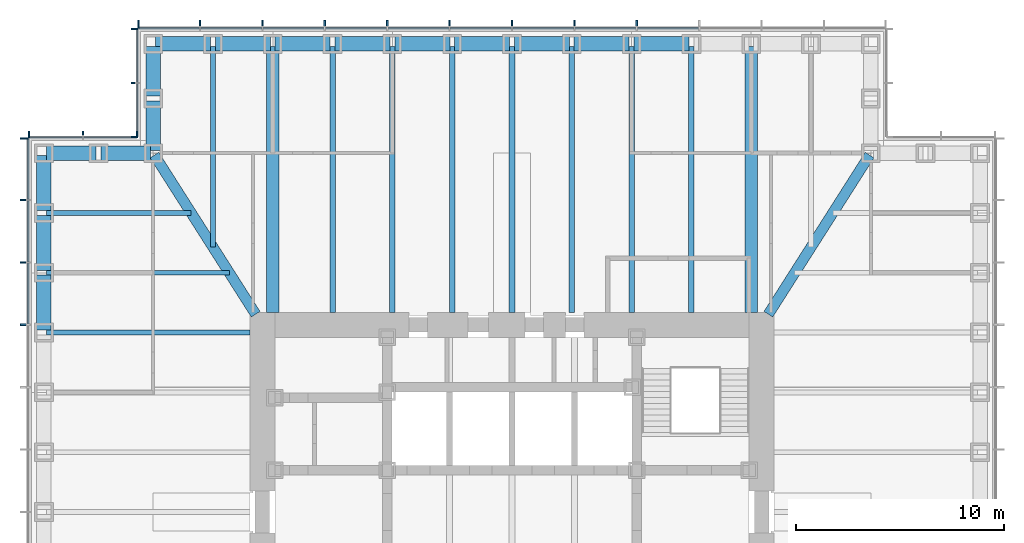
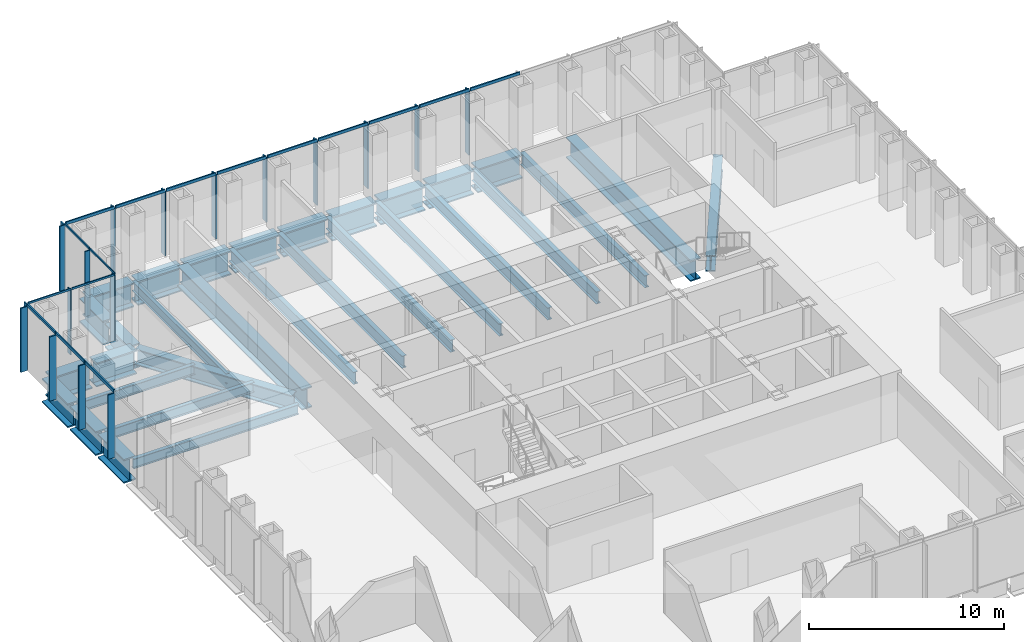
# One storey, part 5 of 17: 35 members, 31 beams, 4 elements without a shape of their own.
"""IFC4 building model written with IfcOpenShell, lengths in metres."""

from ifc_helpers import new_model, si_unit, direction, frame, origin, origin_2d, place, context, subcontext, project, spatial, rectangle, i_section, extrude, material, material_profile, profile_set, type_object, element, aggregate, save


model = new_model("IFC4")

# Units and contexts
model_context = context("Model", 3, precision=1e-05, world=origin(), true_north=direction((0.0, 1.0)))
body_context = subcontext(model_context, "Body", "Model", "MODEL_VIEW")
ifc_project = project(units=[si_unit("LENGTHUNIT", "METRE"), si_unit("AREAUNIT", "SQUARE_METRE"), si_unit("VOLUMEUNIT", "CUBIC_METRE"), si_unit("PLANEANGLEUNIT", "RADIAN"), si_unit("MASSUNIT", "GRAM", prefix="KILO")], contexts=[model_context])

# Site, building, storey
site_placement = place(None, origin())
site = spatial("IfcSite", under=ifc_project, at=site_placement, CompositionType="ELEMENT")
building_placement = place(site_placement, origin())
building = spatial("IfcBuilding", under=site, at=building_placement, Name="Daluyong Arena Tower", CompositionType="ELEMENT")
storey_placement = place(building_placement, frame((0.0, 0.0, 150.10009765625)))
storey = spatial("IfcBuildingStorey", under=building, at=storey_placement, Name="L33", CompositionType="ELEMENT", Elevation=150.10009765625)

# Curtain wall, members
ifc_material_1 = material(Name="Bronze anodised aluminium and glass", Category="aluminium")
curtain_wall_type_1 = type_object("IfcCurtainWallType", Name="Curtain wall CW2", PredefinedType="USERDEFINED", material=ifc_material_1)
curtain_wall_1_placement = place(storey_placement, origin())
curtain_wall_1 = element("IfcCurtainWall", 1, at=curtain_wall_1_placement, inside=storey, type_object=curtain_wall_type_1, Name="curtain wall L33 N", ObjectType="UNITISED CURTAIN WALL", PredefinedType="USERDEFINED")
ifc_material_2 = material(Name="Bronze anodised aluminium fin", Category="aluminium")
ifc_material_profile_1 = material_profile(ifc_material_2, rectangle(XDim=0.39990234375, YDim=0.080078125, at=origin_2d()))
ifc_profile_set_1 = profile_set([ifc_material_profile_1], Name="Bronze anodised aluminium fin")
member_type_1 = type_object("IfcMemberType", Name="CW2 bronze fin 400x80", PredefinedType="MULLION", material=ifc_profile_set_1)
member_1_placement = place(storey_placement, frame((62.0, 103.449951171875, 0.0), z_axis=(0.0, 0.0, 1.0), x_axis=(0.0, -1.0, 0.0)))
member_1 = element("IfcMember", 2, at=member_1_placement, type_object=member_type_1, Name="curtain wall L33 N fin 5", PredefinedType="MULLION", context=body_context, shape_type="SweptSolid", body=[
    extrude(rectangle(XDim=0.39990234375, YDim=0.080078125, at=origin_2d()), origin(), (0.0, 0.0, 1.0), 4.02001953125),
])
member_2_placement = place(storey_placement, frame((59.0, 103.449951171875, 0.0), z_axis=(0.0, 0.0, 1.0), x_axis=(0.0, -1.0, 0.0)))
member_2 = element("IfcMember", 3, at=member_2_placement, type_object=member_type_1, Name="curtain wall L33 N fin 6", PredefinedType="MULLION", context=body_context, shape_type="SweptSolid", body=[
    extrude(rectangle(XDim=0.39990234375, YDim=0.080078125, at=origin_2d()), origin(), (0.0, 0.0, 1.0), 4.02001953125),
])
member_3_placement = place(storey_placement, frame((56.0, 103.449951171875, 0.0), z_axis=(0.0, 0.0, 1.0), x_axis=(0.0, -1.0, 0.0)))
member_3 = element("IfcMember", 4, at=member_3_placement, type_object=member_type_1, Name="curtain wall L33 N fin 7", PredefinedType="MULLION", context=body_context, shape_type="SweptSolid", body=[
    extrude(rectangle(XDim=0.39990234375, YDim=0.080078125, at=origin_2d()), origin(), (0.0, 0.0, 1.0), 4.02001953125),
])
member_4_placement = place(storey_placement, frame((53.0, 103.449951171875, 0.0), z_axis=(0.0, 0.0, 1.0), x_axis=(0.0, -1.0, 0.0)))
member_4 = element("IfcMember", 5, at=member_4_placement, type_object=member_type_1, Name="curtain wall L33 N fin 8", PredefinedType="MULLION", context=body_context, shape_type="SweptSolid", body=[
    extrude(rectangle(XDim=0.39990234375, YDim=0.080078125, at=origin_2d()), origin(), (0.0, 0.0, 1.0), 4.02001953125),
])
member_5_placement = place(storey_placement, frame((50.0, 103.449951171875, 0.0), z_axis=(0.0, 0.0, 1.0), x_axis=(0.0, -1.0, 0.0)))
member_5 = element("IfcMember", 6, at=member_5_placement, type_object=member_type_1, Name="curtain wall L33 N fin 9", PredefinedType="MULLION", context=body_context, shape_type="SweptSolid", body=[
    extrude(rectangle(XDim=0.39990234375, YDim=0.080078125, at=origin_2d()), origin(), (0.0, 0.0, 1.0), 4.02001953125),
])
member_6_placement = place(storey_placement, frame((47.0, 103.449951171875, 0.0), z_axis=(0.0, 0.0, 1.0), x_axis=(0.0, -1.0, 0.0)))
member_6 = element("IfcMember", 7, at=member_6_placement, type_object=member_type_1, Name="curtain wall L33 N fin 10", PredefinedType="MULLION", context=body_context, shape_type="SweptSolid", body=[
    extrude(rectangle(XDim=0.39990234375, YDim=0.080078125, at=origin_2d()), origin(), (0.0, 0.0, 1.0), 4.02001953125),
])
member_7_placement = place(storey_placement, frame((44.0, 103.449951171875, 0.0), z_axis=(0.0, 0.0, 1.0), x_axis=(0.0, -1.0, 0.0)))
member_7 = element("IfcMember", 8, at=member_7_placement, type_object=member_type_1, Name="curtain wall L33 N fin 11", PredefinedType="MULLION", context=body_context, shape_type="SweptSolid", body=[
    extrude(rectangle(XDim=0.39990234375, YDim=0.080078125, at=origin_2d()), origin(), (0.0, 0.0, 1.0), 4.02001953125),
])
member_8_placement = place(storey_placement, frame((41.0, 103.449951171875, 0.0), z_axis=(0.0, 0.0, 1.0), x_axis=(0.0, -1.0, 0.0)))
member_8 = element("IfcMember", 9, at=member_8_placement, type_object=member_type_1, Name="curtain wall L33 N fin 12", PredefinedType="MULLION", context=body_context, shape_type="SweptSolid", body=[
    extrude(rectangle(XDim=0.39990234375, YDim=0.080078125, at=origin_2d()), origin(), (0.0, 0.0, 1.0), 4.02001953125),
])
member_9_placement = place(storey_placement, frame((38.0400390625, 103.449951171875, 0.0), z_axis=(0.0, 0.0, 1.0), x_axis=(0.0, -1.0, 0.0)))
member_9 = element("IfcMember", 10, at=member_9_placement, type_object=member_type_1, Name="curtain wall L33 N fin 13", PredefinedType="MULLION", context=body_context, shape_type="SweptSolid", body=[
    extrude(rectangle(XDim=0.39990234375, YDim=0.080078125, at=origin_2d()), origin(), (0.0, 0.0, 1.0), 4.02001953125),
])

curtain_wall_2_placement = place(storey_placement, origin())
curtain_wall_2 = element("IfcCurtainWall", 11, at=curtain_wall_2_placement, inside=storey, type_object=curtain_wall_type_1, Name="curtain wall L33 W", ObjectType="UNITISED CURTAIN WALL", PredefinedType="USERDEFINED")
member_10_placement = place(storey_placement, frame((32.550048828125, 97.9599609375, 0.0), z_axis=(0.0, 0.0, 1.0), x_axis=(1.0, 0.0, 0.0)))
member_10 = element("IfcMember", 12, at=member_10_placement, type_object=member_type_1, Name="curtain wall L33 W fin 1", PredefinedType="MULLION", context=body_context, shape_type="SweptSolid", body=[
    extrude(rectangle(XDim=0.39990234375, YDim=0.080078125, at=origin_2d()), origin(), (0.0, 0.0, 1.0), 4.02001953125),
])
member_11_placement = place(storey_placement, frame((32.550048828125, 95.0, 0.0), z_axis=(0.0, 0.0, 1.0), x_axis=(1.0, 0.0, 0.0)))
member_11 = element("IfcMember", 13, at=member_11_placement, type_object=member_type_1, Name="curtain wall L33 W fin 2", PredefinedType="MULLION", context=body_context, shape_type="SweptSolid", body=[
    extrude(rectangle(XDim=0.39990234375, YDim=0.080078125, at=origin_2d()), origin(), (0.0, 0.0, 1.0), 4.02001953125),
])
member_12_placement = place(storey_placement, frame((32.550048828125, 92.0, 0.0), z_axis=(0.0, 0.0, 1.0), x_axis=(1.0, 0.0, 0.0)))
member_12 = element("IfcMember", 14, at=member_12_placement, type_object=member_type_1, Name="curtain wall L33 W fin 3", PredefinedType="MULLION", context=body_context, shape_type="SweptSolid", body=[
    extrude(rectangle(XDim=0.39990234375, YDim=0.080078125, at=origin_2d()), origin(), (0.0, 0.0, 1.0), 4.02001953125),
])
member_13_placement = place(storey_placement, frame((32.550048828125, 89.0, 0.0), z_axis=(0.0, 0.0, 1.0), x_axis=(1.0, 0.0, 0.0)))
member_13 = element("IfcMember", 15, at=member_13_placement, type_object=member_type_1, Name="curtain wall L33 W fin 4", PredefinedType="MULLION", context=body_context, shape_type="SweptSolid", body=[
    extrude(rectangle(XDim=0.39990234375, YDim=0.080078125, at=origin_2d()), origin(), (0.0, 0.0, 1.0), 4.02001953125),
])

# Member
ifc_material_3 = material(Name="Bronze anodised aluminium", Category="aluminium")
ifc_material_profile_2 = material_profile(ifc_material_3, rectangle(XDim=0.080078125, YDim=0.179931640625, at=origin_2d()))
ifc_profile_set_2 = profile_set([ifc_material_profile_2], Name="Bronze anodised aluminium")
member_type_2 = type_object("IfcMemberType", Name="CW2 stack transom 180x80", PredefinedType="USERDEFINED", material=ifc_profile_set_2)
member_14_placement = place(storey_placement, frame((64.9599609375, 103.25, 4.10986328125), z_axis=(-1.0, 0.0, 0.0), x_axis=(0.0, -1.0, 0.0)))
member_14 = element("IfcMember", 16, at=member_14_placement, type_object=member_type_2, Name="curtain wall L33 N transom 4", ObjectType="TRANSOM", PredefinedType="USERDEFINED", context=body_context, shape_type="SweptSolid", body=[
    extrude(rectangle(XDim=0.080078125, YDim=0.179931640625, at=origin_2d()), origin(), (0.0, 0.0, 1.0), 2.919921875),
])

member_15_placement = place(storey_placement, frame((61.9599609375, 103.25, 4.10986328125), z_axis=(-1.0, 0.0, 0.0), x_axis=(0.0, -1.0, 0.0)))
member_15 = element("IfcMember", 17, at=member_15_placement, type_object=member_type_2, Name="curtain wall L33 N transom 5", ObjectType="TRANSOM", PredefinedType="USERDEFINED", context=body_context, shape_type="SweptSolid", body=[
    extrude(rectangle(XDim=0.080078125, YDim=0.179931640625, at=origin_2d()), origin(), (0.0, 0.0, 1.0), 2.919921875),
])

member_16_placement = place(storey_placement, frame((58.9599609375, 103.25, 4.10986328125), z_axis=(-1.0, 0.0, 0.0), x_axis=(0.0, -1.0, 0.0)))
member_16 = element("IfcMember", 18, at=member_16_placement, type_object=member_type_2, Name="curtain wall L33 N transom 6", ObjectType="TRANSOM", PredefinedType="USERDEFINED", context=body_context, shape_type="SweptSolid", body=[
    extrude(rectangle(XDim=0.080078125, YDim=0.179931640625, at=origin_2d()), origin(), (0.0, 0.0, 1.0), 2.919921875),
])

member_17_placement = place(storey_placement, frame((55.9599609375, 103.25, 4.10986328125), z_axis=(-1.0, 0.0, 0.0), x_axis=(0.0, -1.0, 0.0)))
member_17 = element("IfcMember", 19, at=member_17_placement, type_object=member_type_2, Name="curtain wall L33 N transom 7", ObjectType="TRANSOM", PredefinedType="USERDEFINED", context=body_context, shape_type="SweptSolid", body=[
    extrude(rectangle(XDim=0.080078125, YDim=0.179931640625, at=origin_2d()), origin(), (0.0, 0.0, 1.0), 2.919921875),
])

member_18_placement = place(storey_placement, frame((52.9599609375, 103.25, 4.10986328125), z_axis=(-1.0, 0.0, 0.0), x_axis=(0.0, -1.0, 0.0)))
member_18 = element("IfcMember", 20, at=member_18_placement, type_object=member_type_2, Name="curtain wall L33 N transom 8", ObjectType="TRANSOM", PredefinedType="USERDEFINED", context=body_context, shape_type="SweptSolid", body=[
    extrude(rectangle(XDim=0.080078125, YDim=0.179931640625, at=origin_2d()), origin(), (0.0, 0.0, 1.0), 2.919921875),
])

member_19_placement = place(storey_placement, frame((49.9599609375, 103.25, 4.10986328125), z_axis=(-1.0, 0.0, 0.0), x_axis=(0.0, -1.0, 0.0)))
member_19 = element("IfcMember", 21, at=member_19_placement, type_object=member_type_2, Name="curtain wall L33 N transom 9", ObjectType="TRANSOM", PredefinedType="USERDEFINED", context=body_context, shape_type="SweptSolid", body=[
    extrude(rectangle(XDim=0.080078125, YDim=0.179931640625, at=origin_2d()), origin(), (0.0, 0.0, 1.0), 2.919921875),
])

member_20_placement = place(storey_placement, frame((46.9599609375, 103.25, 4.10986328125), z_axis=(-1.0, 0.0, 0.0), x_axis=(0.0, -1.0, 0.0)))
member_20 = element("IfcMember", 22, at=member_20_placement, type_object=member_type_2, Name="curtain wall L33 N transom 10", ObjectType="TRANSOM", PredefinedType="USERDEFINED", context=body_context, shape_type="SweptSolid", body=[
    extrude(rectangle(XDim=0.080078125, YDim=0.179931640625, at=origin_2d()), origin(), (0.0, 0.0, 1.0), 2.919921875),
])

member_21_placement = place(storey_placement, frame((43.9599609375, 103.25, 4.10986328125), z_axis=(-1.0, 0.0, 0.0), x_axis=(0.0, -1.0, 0.0)))
member_21 = element("IfcMember", 23, at=member_21_placement, type_object=member_type_2, Name="curtain wall L33 N transom 11", ObjectType="TRANSOM", PredefinedType="USERDEFINED", context=body_context, shape_type="SweptSolid", body=[
    extrude(rectangle(XDim=0.080078125, YDim=0.179931640625, at=origin_2d()), origin(), (0.0, 0.0, 1.0), 2.919921875),
])

member_22_placement = place(storey_placement, frame((40.9599609375, 103.25, 4.10986328125), z_axis=(-1.0, 0.0, 0.0), x_axis=(0.0, -1.0, 0.0)))
member_22 = element("IfcMember", 24, at=member_22_placement, type_object=member_type_2, Name="curtain wall L33 N transom 12", ObjectType="TRANSOM", PredefinedType="USERDEFINED", context=body_context, shape_type="SweptSolid", body=[
    extrude(rectangle(XDim=0.080078125, YDim=0.179931640625, at=origin_2d()), origin(), (0.0, 0.0, 1.0), 2.8798828125),
])

aggregate(curtain_wall_1, [member_1, member_2, member_3, member_4, member_5, member_6, member_7, member_8, member_9, member_14, member_15, member_16, member_17, member_18, member_19, member_20, member_21, member_22])

member_23_placement = place(storey_placement, frame((32.75, 97.919921875, 4.10986328125), z_axis=(0.0, -1.0, 0.0), x_axis=(1.0, 0.0, 0.0)))
member_23 = element("IfcMember", 25, at=member_23_placement, type_object=member_type_2, Name="curtain wall L33 W transom 1", ObjectType="TRANSOM", PredefinedType="USERDEFINED", context=body_context, shape_type="SweptSolid", body=[
    extrude(rectangle(XDim=0.080078125, YDim=0.179931640625, at=origin_2d()), origin(), (0.0, 0.0, 1.0), 2.8798828125),
])

member_24_placement = place(storey_placement, frame((32.75, 94.9599609375, 4.10986328125), z_axis=(0.0, -1.0, 0.0), x_axis=(1.0, 0.0, 0.0)))
member_24 = element("IfcMember", 26, at=member_24_placement, type_object=member_type_2, Name="curtain wall L33 W transom 2", ObjectType="TRANSOM", PredefinedType="USERDEFINED", context=body_context, shape_type="SweptSolid", body=[
    extrude(rectangle(XDim=0.080078125, YDim=0.179931640625, at=origin_2d()), origin(), (0.0, 0.0, 1.0), 2.919921875),
])

member_25_placement = place(storey_placement, frame((32.75, 91.9599609375, 4.10986328125), z_axis=(0.0, -1.0, 0.0), x_axis=(1.0, 0.0, 0.0)))
member_25 = element("IfcMember", 27, at=member_25_placement, type_object=member_type_2, Name="curtain wall L33 W transom 3", ObjectType="TRANSOM", PredefinedType="USERDEFINED", context=body_context, shape_type="SweptSolid", body=[
    extrude(rectangle(XDim=0.080078125, YDim=0.179931640625, at=origin_2d()), origin(), (0.0, 0.0, 1.0), 2.919921875),
])

aggregate(curtain_wall_2, [member_10, member_11, member_12, member_13, member_23, member_24, member_25])

# Curtain wall, members
ifc_material_4 = material(Name="Bronze anodised aluminium and glass", Category="aluminium")
curtain_wall_type_2 = type_object("IfcCurtainWallType", Name="Curtain wall CW7", PredefinedType="USERDEFINED", material=ifc_material_4)
curtain_wall_3_placement = place(storey_placement, origin())
curtain_wall_3 = element("IfcCurtainWall", 28, at=curtain_wall_3_placement, inside=storey, type_object=curtain_wall_type_2, Name="curtain wall L33 NW-W", ObjectType="UNITISED CURTAIN WALL", PredefinedType="USERDEFINED")
ifc_material_5 = material(Name="Bronze anodised aluminium fin", Category="aluminium")
ifc_material_profile_3 = material_profile(ifc_material_5, rectangle(XDim=0.300048828125, YDim=0.06005859375, at=origin_2d()))
ifc_profile_set_3 = profile_set([ifc_material_profile_3], Name="Bronze anodised aluminium fin")
member_type_3 = type_object("IfcMemberType", Name="CW7 bronze fin 300x60", PredefinedType="MULLION", material=ifc_profile_set_3)
member_26_placement = place(storey_placement, frame((37.85009765625, 103.219970703125, 0.0), z_axis=(0.0, 0.0, 1.0), x_axis=(1.0, 0.0, 0.0)))
member_26 = element("IfcMember", 29, at=member_26_placement, type_object=member_type_3, Name="curtain wall L33 NW-W fin 1", PredefinedType="MULLION", context=body_context, shape_type="SweptSolid", body=[
    extrude(rectangle(XDim=0.300048828125, YDim=0.06005859375, at=origin_2d()), origin(), (0.0, 0.0, 1.0), 4.079833984375),
])
member_27_placement = place(storey_placement, frame((37.85009765625, 100.625, 0.0), z_axis=(0.0, 0.0, 1.0), x_axis=(1.0, 0.0, 0.0)))
member_27 = element("IfcMember", 30, at=member_27_placement, type_object=member_type_3, Name="curtain wall L33 NW-W fin 2", PredefinedType="MULLION", context=body_context, shape_type="SweptSolid", body=[
    extrude(rectangle(XDim=0.300048828125, YDim=0.06005859375, at=origin_2d()), origin(), (0.0, 0.0, 1.0), 4.079833984375),
])
member_28_placement = place(storey_placement, frame((37.85009765625, 98.030029296875, 0.0), z_axis=(0.0, 0.0, 1.0), x_axis=(1.0, 0.0, 0.0)))
member_28 = element("IfcMember", 31, at=member_28_placement, type_object=member_type_3, Name="curtain wall L33 NW-W fin 3", PredefinedType="MULLION", context=body_context, shape_type="SweptSolid", body=[
    extrude(rectangle(XDim=0.300048828125, YDim=0.06005859375, at=origin_2d()), origin(), (0.0, 0.0, 1.0), 4.079833984375),
])

curtain_wall_4_placement = place(storey_placement, origin())
curtain_wall_4 = element("IfcCurtainWall", 32, at=curtain_wall_4_placement, inside=storey, type_object=curtain_wall_type_2, Name="curtain wall L33 NW-N", ObjectType="UNITISED CURTAIN WALL", PredefinedType="USERDEFINED")
member_29_placement = place(storey_placement, frame((37.969970703125, 98.14990234375, 0.0), z_axis=(0.0, 0.0, 1.0), x_axis=(0.0, -1.0, 0.0)))
member_29 = element("IfcMember", 33, at=member_29_placement, type_object=member_type_3, Name="curtain wall L33 NW-N fin 1", PredefinedType="MULLION", context=body_context, shape_type="SweptSolid", body=[
    extrude(rectangle(XDim=0.300048828125, YDim=0.06005859375, at=origin_2d()), origin(), (0.0, 0.0, 1.0), 4.079833984375),
])
member_30_placement = place(storey_placement, frame((35.375, 98.14990234375, 0.0), z_axis=(0.0, 0.0, 1.0), x_axis=(0.0, -1.0, 0.0)))
member_30 = element("IfcMember", 34, at=member_30_placement, type_object=member_type_3, Name="curtain wall L33 NW-N fin 2", PredefinedType="MULLION", context=body_context, shape_type="SweptSolid", body=[
    extrude(rectangle(XDim=0.300048828125, YDim=0.06005859375, at=origin_2d()), origin(), (0.0, 0.0, 1.0), 4.079833984375),
])
member_31_placement = place(storey_placement, frame((32.780029296875, 98.14990234375, 0.0), z_axis=(0.0, 0.0, 1.0), x_axis=(0.0, -1.0, 0.0)))
member_31 = element("IfcMember", 35, at=member_31_placement, type_object=member_type_3, Name="curtain wall L33 NW-N fin 3", PredefinedType="MULLION", context=body_context, shape_type="SweptSolid", body=[
    extrude(rectangle(XDim=0.300048828125, YDim=0.06005859375, at=origin_2d()), origin(), (0.0, 0.0, 1.0), 4.079833984375),
])

# Member
ifc_material_6 = material(Name="Bronze anodised aluminium", Category="aluminium")
ifc_material_profile_4 = material_profile(ifc_material_6, rectangle(XDim=0.06005859375, YDim=0.1201171875, at=origin_2d()))
ifc_profile_set_4 = profile_set([ifc_material_profile_4], Name="Bronze anodised aluminium")
member_type_4 = type_object("IfcMemberType", Name="CW7 stack transom 120x60", PredefinedType="USERDEFINED", material=ifc_profile_set_4)
member_32_placement = place(storey_placement, frame((38.0, 103.18994140625, 4.139892578125), z_axis=(0.0, -1.0, 0.0), x_axis=(1.0, 0.0, 0.0)))
member_32 = element("IfcMember", 36, at=member_32_placement, type_object=member_type_4, Name="curtain wall L33 NW-W transom 1", ObjectType="TRANSOM", PredefinedType="USERDEFINED", context=body_context, shape_type="SweptSolid", body=[
    extrude(rectangle(XDim=0.06005859375, YDim=0.1201171875, at=origin_2d()), origin(), (0.0, 0.0, 1.0), 2.534912109375),
])

member_33_placement = place(storey_placement, frame((38.0, 100.594970703125, 4.139892578125), z_axis=(0.0, -1.0, 0.0), x_axis=(1.0, 0.0, 0.0)))
member_33 = element("IfcMember", 37, at=member_33_placement, type_object=member_type_4, Name="curtain wall L33 NW-W transom 2", ObjectType="TRANSOM", PredefinedType="USERDEFINED", context=body_context, shape_type="SweptSolid", body=[
    extrude(rectangle(XDim=0.06005859375, YDim=0.1201171875, at=origin_2d()), origin(), (0.0, 0.0, 1.0), 2.534912109375),
])

aggregate(curtain_wall_3, [member_26, member_27, member_28, member_32, member_33])

member_34_placement = place(storey_placement, frame((37.93994140625, 98.0, 4.139892578125), z_axis=(-1.0, 0.0, 0.0), x_axis=(0.0, -1.0, 0.0)))
member_34 = element("IfcMember", 38, at=member_34_placement, type_object=member_type_4, Name="curtain wall L33 NW-N transom 1", ObjectType="TRANSOM", PredefinedType="USERDEFINED", context=body_context, shape_type="SweptSolid", body=[
    extrude(rectangle(XDim=0.06005859375, YDim=0.1201171875, at=origin_2d()), origin(), (0.0, 0.0, 1.0), 2.534912109375),
])

member_35_placement = place(storey_placement, frame((35.344970703125, 98.0, 4.139892578125), z_axis=(-1.0, 0.0, 0.0), x_axis=(0.0, -1.0, 0.0)))
member_35 = element("IfcMember", 39, at=member_35_placement, type_object=member_type_4, Name="curtain wall L33 NW-N transom 2", ObjectType="TRANSOM", PredefinedType="USERDEFINED", context=body_context, shape_type="SweptSolid", body=[
    extrude(rectangle(XDim=0.06005859375, YDim=0.1201171875, at=origin_2d()), origin(), (0.0, 0.0, 1.0), 2.534912109375),
])

aggregate(curtain_wall_4, [member_29, member_30, member_31, member_34, member_35])

# Beams
ifc_material_7 = material(Name="Steel ASTM A572 Grade 50", Category="steel")
ifc_material_profile_5 = material_profile(ifc_material_7, i_section(OverallWidth=0.5, OverallDepth=1.0, WebThickness=0.03, FlangeThickness=0.06, at=origin_2d()))
ifc_profile_set_5 = profile_set([ifc_material_profile_5], Name="Steel ASTM A572 Grade 50")
beam_type_1 = type_object("IfcBeamType", Name="Corner girder TB1000X500", PredefinedType="BEAM", material=ifc_profile_set_5)
for number, where, z_axis, x_axis, name in (
    (40, (73.188232421875, 97.153076171875, -0.66015625), (-0.536872006459, -0.843663705916, 0.0), (0.843663705916, -0.536872006459, 0.0), "corner girder DG2"),
    (41, (38.811767578125, 97.153076171875, -0.66015625), (0.536872006459, -0.843663705916, 0.0), (0.843663705916, 0.536872006459, 0.0), "corner girder DG2"),
):
    element("IfcBeam", number, at=place(storey_placement, frame(where, z_axis=z_axis, x_axis=x_axis)), inside=storey, type_object=beam_type_1, Name=name, PredefinedType="BEAM", context=body_context, shape_type="SweptSolid", body=[
        extrude(i_section(OverallWidth=0.5, OverallDepth=1.0, WebThickness=0.03, FlangeThickness=0.06, at=origin_2d()), origin(), (0.0, 0.0, 1.0), 9.06396484375),
    ])
ifc_material_8 = material(Name="Steel ASTM A572 Grade 50", Category="steel")
ifc_material_profile_6 = material_profile(ifc_material_8, i_section(OverallWidth=0.60009765625, OverallDepth=1.300048828125, WebThickness=0.035, FlangeThickness=0.07, at=origin_2d()))
ifc_profile_set_6 = profile_set([ifc_material_profile_6], Name="Steel ASTM A572 Grade 50")
beam_type_2 = type_object("IfcBeamType", Name="Floor beam TB1300X600", PredefinedType="BEAM", material=ifc_profile_set_6)
for number, where, z_axis, x_axis, name in (
    (42, (67.5, 102.385009765625, -0.81005859375), (0.0, -1.0, 0.0), (1.0, 0.0, 0.0), "floor beam FB7"),
    (43, (44.5, 102.385009765625, -0.81005859375), (0.0, -1.0, 0.0), (1.0, 0.0, 0.0), "floor beam FB7"),
):
    element("IfcBeam", number, at=place(storey_placement, frame(where, z_axis=z_axis, x_axis=x_axis)), inside=storey, type_object=beam_type_2, Name=name, PredefinedType="BEAM", context=body_context, shape_type="SweptSolid", body=[
        extrude(i_section(OverallWidth=0.60009765625, OverallDepth=1.300048828125, WebThickness=0.035, FlangeThickness=0.07, at=origin_2d()), origin(), (0.0, 0.0, 1.0), 12.784912109375),
    ])
ifc_material_9 = material(Name="Steel ASTM A992 Grade 50", Category="steel")
ifc_material_profile_7 = material_profile(ifc_material_9, i_section(OverallWidth=0.22900390625, OverallDepth=0.612060546875, WebThickness=0.011962890625, FlangeThickness=0.01953125, at=origin_2d()))
ifc_profile_set_7 = profile_set([ifc_material_profile_7], Name="Steel ASTM A992 Grade 50")
beam_type_3 = type_object("IfcBeamType", Name="Floor beam W24X84", PredefinedType="BEAM", material=ifc_profile_set_7)
beam_1_placement = place(storey_placement, frame((41.625, 102.385009765625, -0.466064453125), z_axis=(0.0, -1.0, 0.0), x_axis=(1.0, 0.0, 0.0)))
element("IfcBeam", 44, at=beam_1_placement, inside=storey, type_object=beam_type_3, Name="floor beam FB3", PredefinedType="BEAM", context=body_context, shape_type="SweptSolid", body=[
    extrude(i_section(OverallWidth=0.22900390625, OverallDepth=0.612060546875, WebThickness=0.011962890625, FlangeThickness=0.01953125, at=origin_2d()), origin(), (0.0, 0.0, 1.0), 9.65283203125),
])
beam_2_placement = place(storey_placement, frame((33.614990234375, 94.375, -0.466064453125), z_axis=(1.0, 0.0, 0.0), x_axis=(0.0, 1.0, 0.0)))
element("IfcBeam", 45, at=beam_2_placement, inside=storey, type_object=beam_type_3, Name="floor beam FB3", PredefinedType="BEAM", context=body_context, shape_type="SweptSolid", body=[
    extrude(i_section(OverallWidth=0.22900390625, OverallDepth=0.612060546875, WebThickness=0.011962890625, FlangeThickness=0.01953125, at=origin_2d()), origin(), (0.0, 0.0, 1.0), 6.964599609375),
])
beam_3_placement = place(storey_placement, frame((33.614990234375, 91.5, -0.466064453125), z_axis=(1.0, 0.0, 0.0), x_axis=(0.0, 1.0, 0.0)))
element("IfcBeam", 46, at=beam_3_placement, inside=storey, type_object=beam_type_3, Name="floor beam FB3", PredefinedType="BEAM", context=body_context, shape_type="SweptSolid", body=[
    extrude(i_section(OverallWidth=0.22900390625, OverallDepth=0.612060546875, WebThickness=0.011962890625, FlangeThickness=0.01953125, at=origin_2d()), origin(), (0.0, 0.0, 1.0), 8.794189453125),
])
beam_4_placement = place(storey_placement, frame((33.614990234375, 88.625, -0.466064453125), z_axis=(1.0, 0.0, 0.0), x_axis=(0.0, 1.0, 0.0)))
element("IfcBeam", 47, at=beam_4_placement, inside=storey, type_object=beam_type_3, Name="floor beam FB3", PredefinedType="BEAM", context=body_context, shape_type="SweptSolid", body=[
    extrude(i_section(OverallWidth=0.22900390625, OverallDepth=0.612060546875, WebThickness=0.011962890625, FlangeThickness=0.01953125, at=origin_2d()), origin(), (0.0, 0.0, 1.0), 9.784912109375),
])
ifc_material_10 = material(Name="Steel ASTM A992 Grade 50", Category="steel")
ifc_material_profile_8 = material_profile(ifc_material_10, i_section(OverallWidth=0.2666015625, OverallDepth=0.761962890625, WebThickness=0.014404296875, FlangeThickness=0.021484375, at=origin_2d()))
ifc_profile_set_8 = profile_set([ifc_material_profile_8], Name="Steel ASTM A992 Grade 50")
beam_type_4 = type_object("IfcBeamType", Name="Floor beam W30X116", PredefinedType="BEAM", material=ifc_profile_set_8)
for number, where, z_axis, x_axis, name in (
    (48, (64.625, 102.385009765625, -0.541015625), (0.0, -1.0, 0.0), (1.0, 0.0, 0.0), "floor beam FB4"),
    (49, (61.75, 102.385009765625, -0.541015625), (0.0, -1.0, 0.0), (1.0, 0.0, 0.0), "floor beam FB4"),
    (50, (58.875, 102.385009765625, -0.541015625), (0.0, -1.0, 0.0), (1.0, 0.0, 0.0), "floor beam FB4"),
    (51, (56.0, 102.385009765625, -0.541015625), (0.0, -1.0, 0.0), (1.0, 0.0, 0.0), "floor beam FB4"),
    (52, (53.125, 102.385009765625, -0.541015625), (0.0, -1.0, 0.0), (1.0, 0.0, 0.0), "floor beam FB4"),
    (53, (50.25, 102.385009765625, -0.541015625), (0.0, -1.0, 0.0), (1.0, 0.0, 0.0), "floor beam FB4"),
    (54, (47.375, 102.385009765625, -0.541015625), (0.0, -1.0, 0.0), (1.0, 0.0, 0.0), "floor beam FB4"),
):
    element("IfcBeam", number, at=place(storey_placement, frame(where, z_axis=z_axis, x_axis=x_axis)), inside=storey, type_object=beam_type_4, Name=name, PredefinedType="BEAM", context=body_context, shape_type="SweptSolid", body=[
        extrude(i_section(OverallWidth=0.2666015625, OverallDepth=0.761962890625, WebThickness=0.014404296875, FlangeThickness=0.021484375, at=origin_2d()), origin(), (0.0, 0.0, 1.0), 12.784912109375),
    ])
ifc_material_11 = material(Name="Steel ASTM A572 Grade 50", Category="steel")
ifc_material_profile_9 = material_profile(ifc_material_11, i_section(OverallWidth=0.699951171875, OverallDepth=1.5, WebThickness=0.04, FlangeThickness=0.08, at=origin_2d()))
ifc_profile_set_9 = profile_set([ifc_material_profile_9], Name="Steel ASTM A572 Grade 50")
beam_type_5 = type_object("IfcBeamType", Name="Spandrel Z2 PG1500X700", PredefinedType="SPANDREL", material=ifc_profile_set_9)
for number, where, z_axis, x_axis, name in (
    (55, (64.510009765625, 102.5, -0.91015625), (-1.0, 0.0, 0.0), (0.0, -1.0, 0.0), "spandrel z2 SB6"),
    (56, (61.635009765625, 102.5, -0.91015625), (-1.0, 0.0, 0.0), (0.0, -1.0, 0.0), "spandrel z2 SB6"),
    (57, (58.760009765625, 102.5, -0.91015625), (-1.0, 0.0, 0.0), (0.0, -1.0, 0.0), "spandrel z2 SB6"),
    (58, (55.885009765625, 102.5, -0.91015625), (-1.0, 0.0, 0.0), (0.0, -1.0, 0.0), "spandrel z2 SB6"),
    (59, (53.010009765625, 102.5, -0.91015625), (-1.0, 0.0, 0.0), (0.0, -1.0, 0.0), "spandrel z2 SB6"),
    (60, (50.135009765625, 102.5, -0.91015625), (-1.0, 0.0, 0.0), (0.0, -1.0, 0.0), "spandrel z2 SB6"),
    (61, (47.260009765625, 102.5, -0.91015625), (-1.0, 0.0, 0.0), (0.0, -1.0, 0.0), "spandrel z2 SB6"),
    (62, (44.385009765625, 102.5, -0.91015625), (-1.0, 0.0, 0.0), (0.0, -1.0, 0.0), "spandrel z2 SB6"),
    (63, (41.510009765625, 102.5, -0.91015625), (-1.0, 0.0, 0.0), (0.0, -1.0, 0.0), "spandrel z2 SB6"),
):
    element("IfcBeam", number, at=place(storey_placement, frame(where, z_axis=z_axis, x_axis=x_axis)), inside=storey, type_object=beam_type_5, Name=name, PredefinedType="SPANDREL", context=body_context, shape_type="SweptSolid", body=[
        extrude(i_section(OverallWidth=0.699951171875, OverallDepth=1.5, WebThickness=0.04, FlangeThickness=0.08, at=origin_2d()), origin(), (0.0, 0.0, 1.0), 2.64501953125),
    ])
for number, where, z_axis, x_axis, name in (
    (64, (38.75, 102.385009765625, -0.91015625), (0.0, -1.0, 0.0), (1.0, 0.0, 0.0), "spandrel z2 SB6"),
    (65, (38.75, 99.760009765625, -0.91015625), (0.0, -1.0, 0.0), (1.0, 0.0, 0.0), "spandrel z2 SB6"),
    (66, (38.635009765625, 97.25, -0.91015625), (-1.0, 0.0, 0.0), (0.0, -1.0, 0.0), "spandrel z2 SB6"),
    (67, (36.010009765625, 97.25, -0.91015625), (-1.0, 0.0, 0.0), (0.0, -1.0, 0.0), "spandrel z2 SB6"),
):
    element("IfcBeam", number, at=place(storey_placement, frame(where, z_axis=z_axis, x_axis=x_axis)), inside=storey, type_object=beam_type_5, Name=name, PredefinedType="SPANDREL", context=body_context, shape_type="SweptSolid", body=[
        extrude(i_section(OverallWidth=0.699951171875, OverallDepth=1.5, WebThickness=0.04, FlangeThickness=0.08, at=origin_2d()), origin(), (0.0, 0.0, 1.0), 2.39501953125),
    ])
for number, where, z_axis, x_axis, name in (
    (68, (33.5, 97.135009765625, -0.91015625), (0.0, -1.0, 0.0), (1.0, 0.0, 0.0), "spandrel z2 SB6"),
    (69, (33.5, 94.260009765625, -0.91015625), (0.0, -1.0, 0.0), (1.0, 0.0, 0.0), "spandrel z2 SB6"),
    (70, (33.5, 91.385009765625, -0.91015625), (0.0, -1.0, 0.0), (1.0, 0.0, 0.0), "spandrel z2 SB6"),
):
    element("IfcBeam", number, at=place(storey_placement, frame(where, z_axis=z_axis, x_axis=x_axis)), inside=storey, type_object=beam_type_5, Name=name, PredefinedType="SPANDREL", context=body_context, shape_type="SweptSolid", body=[
        extrude(i_section(OverallWidth=0.699951171875, OverallDepth=1.5, WebThickness=0.04, FlangeThickness=0.08, at=origin_2d()), origin(), (0.0, 0.0, 1.0), 2.64501953125),
    ])

save(model, "model.ifc")
